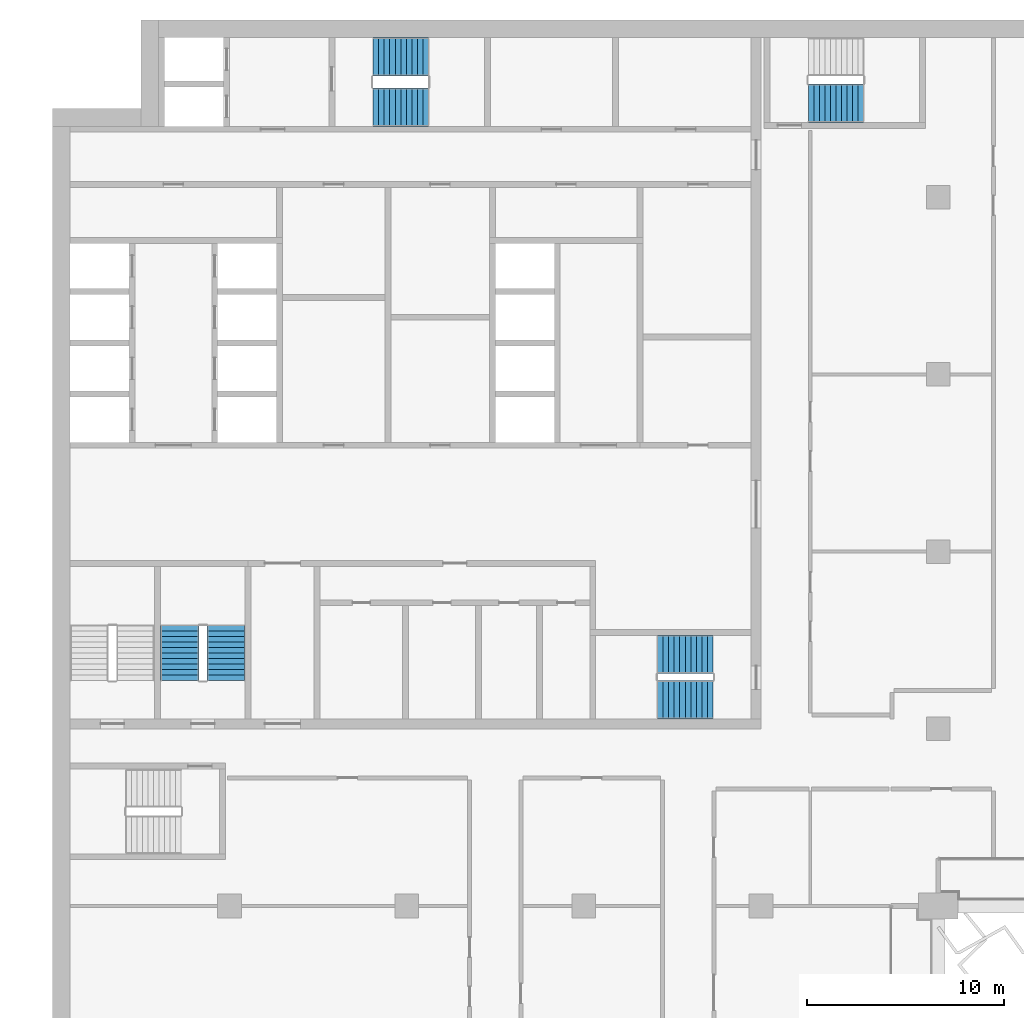
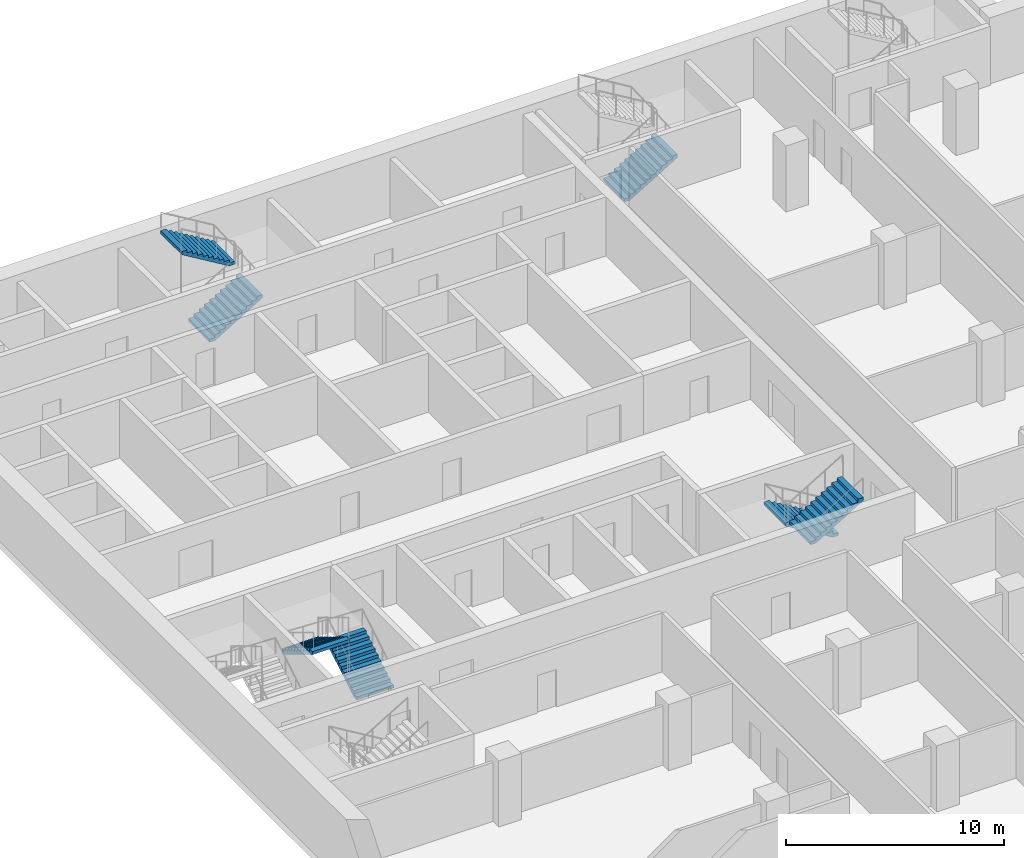
# One storey, part 17 of 23: 7 stair flights, 4 elements without a shape of their own.
"""IFC4 building model written with IfcOpenShell, lengths in metres."""

from ifc_helpers import new_model, si_unit, direction, frame, origin, place, context, subcontext, project, spatial, polyline, outline, extrude, material, type_object, element, aggregate, save


model = new_model("IFC4")

# Units and contexts
model_context = context("Model", 3, precision=1e-05, world=origin(), true_north=direction((0.0, 1.0)))
body_context = subcontext(model_context, "Body", "Model", "MODEL_VIEW")
ifc_project = project(units=[si_unit("LENGTHUNIT", "METRE"), si_unit("AREAUNIT", "SQUARE_METRE"), si_unit("VOLUMEUNIT", "CUBIC_METRE"), si_unit("PLANEANGLEUNIT", "RADIAN"), si_unit("MASSUNIT", "GRAM", prefix="KILO")], contexts=[model_context])

# Site, building, storey
site_placement = place(None, origin())
site = spatial("IfcSite", under=ifc_project, at=site_placement, CompositionType="ELEMENT")
building_placement = place(site_placement, origin())
building = spatial("IfcBuilding", under=site, at=building_placement, Name="Hunhe Ridgeline Campus", CompositionType="ELEMENT")
storey_placement = place(building_placement, frame((0.0, 0.0, 170.800048828125)))
storey = spatial("IfcBuildingStorey", under=building, at=storey_placement, Name="L43", CompositionType="ELEMENT", Elevation=170.800048828125)

# Stair, stair flights
ifc_material = material(Name="Concrete C40", Category="concrete")
stair_type = type_object("IfcStairType", Name="Reinforced concrete dog-leg stair 1950 Concrete C40", PredefinedType="HALF_TURN_STAIR", material=ifc_material)
stair_1_placement = place(storey_placement, origin())
stair_1 = element("IfcStair", 1, at=stair_1_placement, inside=storey, type_object=stair_type, Name="L43 S1", PredefinedType="HALF_TURN_STAIR")
stair_flight_type = type_object("IfcStairFlightType", Name="Reinforced concrete stair flight 1950 Concrete C40", PredefinedType="STRAIGHT", material=ifc_material)
stair_flight_1_placement = place(storey_placement, frame((16.300048828125, 94.574951171875, 0.0), z_axis=(0.0, 0.0, 1.0), x_axis=(1.0, 0.0, 0.0)))
stair_flight_1 = element("IfcStairFlight", 2, at=stair_flight_1_placement, type_object=stair_flight_type, Name="ST1 flight 1", NumberOfRisers=11, NumberOfTreads=10, PredefinedType="STRAIGHT", RiserHeight=0.168181818, TreadLength=0.28, context=body_context, shape_type="SweptSolid", body=[
    extrude(outline(polyline([(0.0, 0.0), (0.0, 0.168212890625), (0.280029296875, 0.168212890625), (0.280029296875, 0.33642578125), (0.56005859375, 0.33642578125), (0.56005859375, 0.504638671875), (0.840087890625, 0.504638671875), (0.840087890625, 0.672607421875), (1.1201171875, 0.672607421875), (1.1201171875, 0.8408203125), (1.39990234375, 0.8408203125), (1.39990234375, 1.009033203125), (1.679931640625, 1.009033203125), (1.679931640625, 1.17724609375), (1.9599609375, 1.17724609375), (1.9599609375, 1.345458984375), (2.239990234375, 1.345458984375), (2.239990234375, 1.513671875), (2.52001953125, 1.513671875), (2.52001953125, 1.681884765625), (2.800048828125, 1.681884765625), (2.800048828125, 1.85009765625), (2.800048828125, 1.5068359375), (0.291015625, 0.0), (0.0, 0.0)])), frame((0.0, 0.97509765625, 0.0), z_axis=(0.0, -1.0, 0.0), x_axis=(1.0, 0.0, 0.0)), (0.0, 0.0, 1.0), 1.949951171875),
    extrude(outline(polyline([(0.030029296875, 0.030029296875), (0.030029296875, 0.13818359375), (0.31005859375, 0.13818359375), (0.31005859375, 0.306396484375), (0.590087890625, 0.306396484375), (0.590087890625, 0.474609375), (0.8701171875, 0.474609375), (0.8701171875, 0.642578125), (1.14990234375, 0.642578125), (1.14990234375, 0.810791015625), (1.429931640625, 0.810791015625), (1.429931640625, 0.97900390625), (1.7099609375, 0.97900390625), (1.7099609375, 1.147216796875), (1.989990234375, 1.147216796875), (1.989990234375, 1.3154296875), (2.27001953125, 1.3154296875), (2.27001953125, 1.483642578125), (2.550048828125, 1.483642578125), (2.550048828125, 1.65185546875), (2.77001953125, 1.65185546875), (2.77001953125, 1.52392578125), (0.28271484375, 0.030029296875), (0.030029296875, 0.030029296875)])), frame((0.0, -0.070068359375, 0.0), z_axis=(0.0, -1.0, 0.0), x_axis=(1.0, 0.0, 0.0)), (0.0, 0.0, 1.0), 0.019775390625),
    extrude(outline(polyline([(0.030029296875, 0.030029296875), (0.030029296875, 0.13818359375), (0.31005859375, 0.13818359375), (0.31005859375, 0.306396484375), (0.590087890625, 0.306396484375), (0.590087890625, 0.474609375), (0.8701171875, 0.474609375), (0.8701171875, 0.642578125), (1.14990234375, 0.642578125), (1.14990234375, 0.810791015625), (1.429931640625, 0.810791015625), (1.429931640625, 0.97900390625), (1.7099609375, 0.97900390625), (1.7099609375, 1.147216796875), (1.989990234375, 1.147216796875), (1.989990234375, 1.3154296875), (2.27001953125, 1.3154296875), (2.27001953125, 1.483642578125), (2.550048828125, 1.483642578125), (2.550048828125, 1.65185546875), (2.77001953125, 1.65185546875), (2.77001953125, 1.52392578125), (0.28271484375, 0.030029296875), (0.030029296875, 0.030029296875)])), frame((0.0, 0.010009765625, 0.0), z_axis=(0.0, -1.0, 0.0), x_axis=(1.0, 0.0, 0.0)), (0.0, 0.0, 1.0), 0.019775390625),
    extrude(outline(polyline([(0.030029296875, 0.030029296875), (0.030029296875, 0.13818359375), (0.31005859375, 0.13818359375), (0.31005859375, 0.306396484375), (0.590087890625, 0.306396484375), (0.590087890625, 0.474609375), (0.8701171875, 0.474609375), (0.8701171875, 0.642578125), (1.14990234375, 0.642578125), (1.14990234375, 0.810791015625), (1.429931640625, 0.810791015625), (1.429931640625, 0.97900390625), (1.7099609375, 0.97900390625), (1.7099609375, 1.147216796875), (1.989990234375, 1.147216796875), (1.989990234375, 1.3154296875), (2.27001953125, 1.3154296875), (2.27001953125, 1.483642578125), (2.550048828125, 1.483642578125), (2.550048828125, 1.65185546875), (2.77001953125, 1.65185546875), (2.77001953125, 1.52392578125), (0.28271484375, 0.030029296875), (0.030029296875, 0.030029296875)])), frame((0.0, 0.090087890625, 0.0), z_axis=(0.0, -1.0, 0.0), x_axis=(1.0, 0.0, 0.0)), (0.0, 0.0, 1.0), 0.019775390625),
])
stair_flight_2_placement = place(storey_placement, frame((19.10009765625, 97.125, 1.849853515625), z_axis=(0.0, 0.0, 1.0), x_axis=(-1.0, 0.0, 0.0)))
stair_flight_2 = element("IfcStairFlight", 3, at=stair_flight_2_placement, type_object=stair_flight_type, Name="ST1 flight 2", NumberOfRisers=11, NumberOfTreads=10, PredefinedType="STRAIGHT", RiserHeight=0.168181818, TreadLength=0.28, context=body_context, shape_type="SweptSolid", body=[
    extrude(outline(polyline([(0.0, 0.0), (0.0, 0.168212890625), (0.280029296875, 0.168212890625), (0.280029296875, 0.33642578125), (0.56005859375, 0.33642578125), (0.56005859375, 0.504638671875), (0.840087890625, 0.504638671875), (0.840087890625, 0.672607421875), (1.1201171875, 0.672607421875), (1.1201171875, 0.8408203125), (1.39990234375, 0.8408203125), (1.39990234375, 1.009033203125), (1.679931640625, 1.009033203125), (1.679931640625, 1.17724609375), (1.9599609375, 1.17724609375), (1.9599609375, 1.345458984375), (2.239990234375, 1.345458984375), (2.239990234375, 1.513671875), (2.52001953125, 1.513671875), (2.52001953125, 1.681884765625), (2.800048828125, 1.681884765625), (2.800048828125, 1.85009765625), (2.800048828125, 1.5068359375), (0.291015625, 0.0), (0.0, 0.0)])), frame((0.0, 0.97509765625, 0.0), z_axis=(0.0, -1.0, 0.0), x_axis=(1.0, 0.0, 0.0)), (0.0, 0.0, 1.0), 1.949951171875),
    extrude(outline(polyline([(0.030029296875, 0.030029296875), (0.030029296875, 0.13818359375), (0.31005859375, 0.13818359375), (0.31005859375, 0.306396484375), (0.590087890625, 0.306396484375), (0.590087890625, 0.474609375), (0.8701171875, 0.474609375), (0.8701171875, 0.642578125), (1.14990234375, 0.642578125), (1.14990234375, 0.810791015625), (1.429931640625, 0.810791015625), (1.429931640625, 0.97900390625), (1.7099609375, 0.97900390625), (1.7099609375, 1.147216796875), (1.989990234375, 1.147216796875), (1.989990234375, 1.3154296875), (2.27001953125, 1.3154296875), (2.27001953125, 1.483642578125), (2.550048828125, 1.483642578125), (2.550048828125, 1.65185546875), (2.77001953125, 1.65185546875), (2.77001953125, 1.52392578125), (0.28271484375, 0.030029296875), (0.030029296875, 0.030029296875)])), frame((0.0, -0.070068359375, 0.0), z_axis=(0.0, -1.0, 0.0), x_axis=(1.0, 0.0, 0.0)), (0.0, 0.0, 1.0), 0.019775390625),
    extrude(outline(polyline([(0.030029296875, 0.030029296875), (0.030029296875, 0.13818359375), (0.31005859375, 0.13818359375), (0.31005859375, 0.306396484375), (0.590087890625, 0.306396484375), (0.590087890625, 0.474609375), (0.8701171875, 0.474609375), (0.8701171875, 0.642578125), (1.14990234375, 0.642578125), (1.14990234375, 0.810791015625), (1.429931640625, 0.810791015625), (1.429931640625, 0.97900390625), (1.7099609375, 0.97900390625), (1.7099609375, 1.147216796875), (1.989990234375, 1.147216796875), (1.989990234375, 1.3154296875), (2.27001953125, 1.3154296875), (2.27001953125, 1.483642578125), (2.550048828125, 1.483642578125), (2.550048828125, 1.65185546875), (2.77001953125, 1.65185546875), (2.77001953125, 1.52392578125), (0.28271484375, 0.030029296875), (0.030029296875, 0.030029296875)])), frame((0.0, 0.010009765625, 0.0), z_axis=(0.0, -1.0, 0.0), x_axis=(1.0, 0.0, 0.0)), (0.0, 0.0, 1.0), 0.019775390625),
    extrude(outline(polyline([(0.030029296875, 0.030029296875), (0.030029296875, 0.13818359375), (0.31005859375, 0.13818359375), (0.31005859375, 0.306396484375), (0.590087890625, 0.306396484375), (0.590087890625, 0.474609375), (0.8701171875, 0.474609375), (0.8701171875, 0.642578125), (1.14990234375, 0.642578125), (1.14990234375, 0.810791015625), (1.429931640625, 0.810791015625), (1.429931640625, 0.97900390625), (1.7099609375, 0.97900390625), (1.7099609375, 1.147216796875), (1.989990234375, 1.147216796875), (1.989990234375, 1.3154296875), (2.27001953125, 1.3154296875), (2.27001953125, 1.483642578125), (2.550048828125, 1.483642578125), (2.550048828125, 1.65185546875), (2.77001953125, 1.65185546875), (2.77001953125, 1.52392578125), (0.28271484375, 0.030029296875), (0.030029296875, 0.030029296875)])), frame((0.0, 0.090087890625, 0.0), z_axis=(0.0, -1.0, 0.0), x_axis=(1.0, 0.0, 0.0)), (0.0, 0.0, 1.0), 0.019775390625),
])
aggregate(stair_1, [stair_flight_1, stair_flight_2])

stair_2_placement = place(storey_placement, origin())
stair_2 = element("IfcStair", 4, at=stair_2_placement, inside=storey, type_object=stair_type, Name="L43 S2", PredefinedType="HALF_TURN_STAIR")
stair_flight_3_placement = place(storey_placement, frame((33.550048828125, 66.77490234375, 0.0), z_axis=(0.0, 0.0, 1.0), x_axis=(-1.0, 0.0, 0.0)))
stair_flight_3 = element("IfcStairFlight", 5, at=stair_flight_3_placement, type_object=stair_flight_type, Name="ST2 flight 1", NumberOfRisers=11, NumberOfTreads=10, PredefinedType="STRAIGHT", RiserHeight=0.168181818, TreadLength=0.28, context=body_context, shape_type="SweptSolid", body=[
    extrude(outline(polyline([(0.0, 0.0), (0.0, 0.168212890625), (0.280029296875, 0.168212890625), (0.280029296875, 0.33642578125), (0.56005859375, 0.33642578125), (0.56005859375, 0.504638671875), (0.840087890625, 0.504638671875), (0.840087890625, 0.672607421875), (1.1201171875, 0.672607421875), (1.1201171875, 0.8408203125), (1.39990234375, 0.8408203125), (1.39990234375, 1.009033203125), (1.679931640625, 1.009033203125), (1.679931640625, 1.17724609375), (1.9599609375, 1.17724609375), (1.9599609375, 1.345458984375), (2.239990234375, 1.345458984375), (2.239990234375, 1.513671875), (2.52001953125, 1.513671875), (2.52001953125, 1.681884765625), (2.800048828125, 1.681884765625), (2.800048828125, 1.85009765625), (2.800048828125, 1.5068359375), (0.291015625, 0.0), (0.0, 0.0)])), frame((0.0, 0.97509765625, 0.0), z_axis=(0.0, -1.0, 0.0), x_axis=(1.0, 0.0, 0.0)), (0.0, 0.0, 1.0), 1.949951171875),
    extrude(outline(polyline([(0.030029296875, 0.030029296875), (0.030029296875, 0.13818359375), (0.31005859375, 0.13818359375), (0.31005859375, 0.306396484375), (0.590087890625, 0.306396484375), (0.590087890625, 0.474609375), (0.8701171875, 0.474609375), (0.8701171875, 0.642578125), (1.14990234375, 0.642578125), (1.14990234375, 0.810791015625), (1.429931640625, 0.810791015625), (1.429931640625, 0.97900390625), (1.7099609375, 0.97900390625), (1.7099609375, 1.147216796875), (1.989990234375, 1.147216796875), (1.989990234375, 1.3154296875), (2.27001953125, 1.3154296875), (2.27001953125, 1.483642578125), (2.550048828125, 1.483642578125), (2.550048828125, 1.65185546875), (2.77001953125, 1.65185546875), (2.77001953125, 1.52392578125), (0.28271484375, 0.030029296875), (0.030029296875, 0.030029296875)])), frame((0.0, -0.070068359375, 0.0), z_axis=(0.0, -1.0, 0.0), x_axis=(1.0, 0.0, 0.0)), (0.0, 0.0, 1.0), 0.019775390625),
    extrude(outline(polyline([(0.030029296875, 0.030029296875), (0.030029296875, 0.13818359375), (0.31005859375, 0.13818359375), (0.31005859375, 0.306396484375), (0.590087890625, 0.306396484375), (0.590087890625, 0.474609375), (0.8701171875, 0.474609375), (0.8701171875, 0.642578125), (1.14990234375, 0.642578125), (1.14990234375, 0.810791015625), (1.429931640625, 0.810791015625), (1.429931640625, 0.97900390625), (1.7099609375, 0.97900390625), (1.7099609375, 1.147216796875), (1.989990234375, 1.147216796875), (1.989990234375, 1.3154296875), (2.27001953125, 1.3154296875), (2.27001953125, 1.483642578125), (2.550048828125, 1.483642578125), (2.550048828125, 1.65185546875), (2.77001953125, 1.65185546875), (2.77001953125, 1.52392578125), (0.28271484375, 0.030029296875), (0.030029296875, 0.030029296875)])), frame((0.0, 0.010009765625, 0.0), z_axis=(0.0, -1.0, 0.0), x_axis=(1.0, 0.0, 0.0)), (0.0, 0.0, 1.0), 0.019775390625),
    extrude(outline(polyline([(0.030029296875, 0.030029296875), (0.030029296875, 0.13818359375), (0.31005859375, 0.13818359375), (0.31005859375, 0.306396484375), (0.590087890625, 0.306396484375), (0.590087890625, 0.474609375), (0.8701171875, 0.474609375), (0.8701171875, 0.642578125), (1.14990234375, 0.642578125), (1.14990234375, 0.810791015625), (1.429931640625, 0.810791015625), (1.429931640625, 0.97900390625), (1.7099609375, 0.97900390625), (1.7099609375, 1.147216796875), (1.989990234375, 1.147216796875), (1.989990234375, 1.3154296875), (2.27001953125, 1.3154296875), (2.27001953125, 1.483642578125), (2.550048828125, 1.483642578125), (2.550048828125, 1.65185546875), (2.77001953125, 1.65185546875), (2.77001953125, 1.52392578125), (0.28271484375, 0.030029296875), (0.030029296875, 0.030029296875)])), frame((0.0, 0.090087890625, 0.0), z_axis=(0.0, -1.0, 0.0), x_axis=(1.0, 0.0, 0.0)), (0.0, 0.0, 1.0), 0.019775390625),
])
stair_flight_4_placement = place(storey_placement, frame((30.75, 64.47509765625, 1.849853515625), z_axis=(0.0, 0.0, 1.0), x_axis=(1.0, 0.0, 0.0)))
stair_flight_4 = element("IfcStairFlight", 6, at=stair_flight_4_placement, type_object=stair_flight_type, Name="ST2 flight 2", NumberOfRisers=11, NumberOfTreads=10, PredefinedType="STRAIGHT", RiserHeight=0.168181818, TreadLength=0.28, context=body_context, shape_type="SweptSolid", body=[
    extrude(outline(polyline([(0.0, 0.0), (0.0, 0.168212890625), (0.280029296875, 0.168212890625), (0.280029296875, 0.33642578125), (0.56005859375, 0.33642578125), (0.56005859375, 0.504638671875), (0.840087890625, 0.504638671875), (0.840087890625, 0.672607421875), (1.1201171875, 0.672607421875), (1.1201171875, 0.8408203125), (1.39990234375, 0.8408203125), (1.39990234375, 1.009033203125), (1.679931640625, 1.009033203125), (1.679931640625, 1.17724609375), (1.9599609375, 1.17724609375), (1.9599609375, 1.345458984375), (2.239990234375, 1.345458984375), (2.239990234375, 1.513671875), (2.52001953125, 1.513671875), (2.52001953125, 1.681884765625), (2.800048828125, 1.681884765625), (2.800048828125, 1.85009765625), (2.800048828125, 1.5068359375), (0.291015625, 0.0), (0.0, 0.0)])), frame((0.0, 0.97509765625, 0.0), z_axis=(0.0, -1.0, 0.0), x_axis=(1.0, 0.0, 0.0)), (0.0, 0.0, 1.0), 1.949951171875),
    extrude(outline(polyline([(0.030029296875, 0.030029296875), (0.030029296875, 0.13818359375), (0.31005859375, 0.13818359375), (0.31005859375, 0.306396484375), (0.590087890625, 0.306396484375), (0.590087890625, 0.474609375), (0.8701171875, 0.474609375), (0.8701171875, 0.642578125), (1.14990234375, 0.642578125), (1.14990234375, 0.810791015625), (1.429931640625, 0.810791015625), (1.429931640625, 0.97900390625), (1.7099609375, 0.97900390625), (1.7099609375, 1.147216796875), (1.989990234375, 1.147216796875), (1.989990234375, 1.3154296875), (2.27001953125, 1.3154296875), (2.27001953125, 1.483642578125), (2.550048828125, 1.483642578125), (2.550048828125, 1.65185546875), (2.77001953125, 1.65185546875), (2.77001953125, 1.52392578125), (0.28271484375, 0.030029296875), (0.030029296875, 0.030029296875)])), frame((0.0, -0.070068359375, 0.0), z_axis=(0.0, -1.0, 0.0), x_axis=(1.0, 0.0, 0.0)), (0.0, 0.0, 1.0), 0.019775390625),
    extrude(outline(polyline([(0.030029296875, 0.030029296875), (0.030029296875, 0.13818359375), (0.31005859375, 0.13818359375), (0.31005859375, 0.306396484375), (0.590087890625, 0.306396484375), (0.590087890625, 0.474609375), (0.8701171875, 0.474609375), (0.8701171875, 0.642578125), (1.14990234375, 0.642578125), (1.14990234375, 0.810791015625), (1.429931640625, 0.810791015625), (1.429931640625, 0.97900390625), (1.7099609375, 0.97900390625), (1.7099609375, 1.147216796875), (1.989990234375, 1.147216796875), (1.989990234375, 1.3154296875), (2.27001953125, 1.3154296875), (2.27001953125, 1.483642578125), (2.550048828125, 1.483642578125), (2.550048828125, 1.65185546875), (2.77001953125, 1.65185546875), (2.77001953125, 1.52392578125), (0.28271484375, 0.030029296875), (0.030029296875, 0.030029296875)])), frame((0.0, 0.010009765625, 0.0), z_axis=(0.0, -1.0, 0.0), x_axis=(1.0, 0.0, 0.0)), (0.0, 0.0, 1.0), 0.019775390625),
    extrude(outline(polyline([(0.030029296875, 0.030029296875), (0.030029296875, 0.13818359375), (0.31005859375, 0.13818359375), (0.31005859375, 0.306396484375), (0.590087890625, 0.306396484375), (0.590087890625, 0.474609375), (0.8701171875, 0.474609375), (0.8701171875, 0.642578125), (1.14990234375, 0.642578125), (1.14990234375, 0.810791015625), (1.429931640625, 0.810791015625), (1.429931640625, 0.97900390625), (1.7099609375, 0.97900390625), (1.7099609375, 1.147216796875), (1.989990234375, 1.147216796875), (1.989990234375, 1.3154296875), (2.27001953125, 1.3154296875), (2.27001953125, 1.483642578125), (2.550048828125, 1.483642578125), (2.550048828125, 1.65185546875), (2.77001953125, 1.65185546875), (2.77001953125, 1.52392578125), (0.28271484375, 0.030029296875), (0.030029296875, 0.030029296875)])), frame((0.0, 0.090087890625, 0.0), z_axis=(0.0, -1.0, 0.0), x_axis=(1.0, 0.0, 0.0)), (0.0, 0.0, 1.0), 0.019775390625),
])
aggregate(stair_2, [stair_flight_3, stair_flight_4])

stair_3_placement = place(storey_placement, origin())
stair_3 = element("IfcStair", 7, at=stair_3_placement, inside=storey, type_object=stair_type, Name="L43 S4", PredefinedType="HALF_TURN_STAIR")
stair_flight_5_placement = place(storey_placement, frame((8.824951171875, 65.449951171875, 0.0), z_axis=(0.0, 0.0, 1.0), x_axis=(0.0, 1.0, 0.0)))
stair_flight_5 = element("IfcStairFlight", 8, at=stair_flight_5_placement, type_object=stair_flight_type, Name="ST4 flight 1", NumberOfRisers=11, NumberOfTreads=10, PredefinedType="STRAIGHT", RiserHeight=0.168181818, TreadLength=0.28, context=body_context, shape_type="SweptSolid", body=[
    extrude(outline(polyline([(0.0, 0.0), (0.0, 0.168212890625), (0.280029296875, 0.168212890625), (0.280029296875, 0.33642578125), (0.56005859375, 0.33642578125), (0.56005859375, 0.504638671875), (0.840087890625, 0.504638671875), (0.840087890625, 0.672607421875), (1.1201171875, 0.672607421875), (1.1201171875, 0.8408203125), (1.39990234375, 0.8408203125), (1.39990234375, 1.009033203125), (1.679931640625, 1.009033203125), (1.679931640625, 1.17724609375), (1.9599609375, 1.17724609375), (1.9599609375, 1.345458984375), (2.239990234375, 1.345458984375), (2.239990234375, 1.513671875), (2.52001953125, 1.513671875), (2.52001953125, 1.681884765625), (2.800048828125, 1.681884765625), (2.800048828125, 1.85009765625), (2.800048828125, 1.5068359375), (0.291015625, 0.0), (0.0, 0.0)])), frame((0.0, 0.97509765625, 0.0), z_axis=(0.0, -1.0, 0.0), x_axis=(1.0, 0.0, 0.0)), (0.0, 0.0, 1.0), 1.949951171875),
    extrude(outline(polyline([(0.030029296875, 0.030029296875), (0.030029296875, 0.13818359375), (0.31005859375, 0.13818359375), (0.31005859375, 0.306396484375), (0.590087890625, 0.306396484375), (0.590087890625, 0.474609375), (0.8701171875, 0.474609375), (0.8701171875, 0.642578125), (1.14990234375, 0.642578125), (1.14990234375, 0.810791015625), (1.429931640625, 0.810791015625), (1.429931640625, 0.97900390625), (1.7099609375, 0.97900390625), (1.7099609375, 1.147216796875), (1.989990234375, 1.147216796875), (1.989990234375, 1.3154296875), (2.27001953125, 1.3154296875), (2.27001953125, 1.483642578125), (2.550048828125, 1.483642578125), (2.550048828125, 1.65185546875), (2.77001953125, 1.65185546875), (2.77001953125, 1.52392578125), (0.28271484375, 0.030029296875), (0.030029296875, 0.030029296875)])), frame((0.0, -0.070068359375, 0.0), z_axis=(0.0, -1.0, 0.0), x_axis=(1.0, 0.0, 0.0)), (0.0, 0.0, 1.0), 0.019775390625),
    extrude(outline(polyline([(0.030029296875, 0.030029296875), (0.030029296875, 0.13818359375), (0.31005859375, 0.13818359375), (0.31005859375, 0.306396484375), (0.590087890625, 0.306396484375), (0.590087890625, 0.474609375), (0.8701171875, 0.474609375), (0.8701171875, 0.642578125), (1.14990234375, 0.642578125), (1.14990234375, 0.810791015625), (1.429931640625, 0.810791015625), (1.429931640625, 0.97900390625), (1.7099609375, 0.97900390625), (1.7099609375, 1.147216796875), (1.989990234375, 1.147216796875), (1.989990234375, 1.3154296875), (2.27001953125, 1.3154296875), (2.27001953125, 1.483642578125), (2.550048828125, 1.483642578125), (2.550048828125, 1.65185546875), (2.77001953125, 1.65185546875), (2.77001953125, 1.52392578125), (0.28271484375, 0.030029296875), (0.030029296875, 0.030029296875)])), frame((0.0, 0.010009765625, 0.0), z_axis=(0.0, -1.0, 0.0), x_axis=(1.0, 0.0, 0.0)), (0.0, 0.0, 1.0), 0.019775390625),
    extrude(outline(polyline([(0.030029296875, 0.030029296875), (0.030029296875, 0.13818359375), (0.31005859375, 0.13818359375), (0.31005859375, 0.306396484375), (0.590087890625, 0.306396484375), (0.590087890625, 0.474609375), (0.8701171875, 0.474609375), (0.8701171875, 0.642578125), (1.14990234375, 0.642578125), (1.14990234375, 0.810791015625), (1.429931640625, 0.810791015625), (1.429931640625, 0.97900390625), (1.7099609375, 0.97900390625), (1.7099609375, 1.147216796875), (1.989990234375, 1.147216796875), (1.989990234375, 1.3154296875), (2.27001953125, 1.3154296875), (2.27001953125, 1.483642578125), (2.550048828125, 1.483642578125), (2.550048828125, 1.65185546875), (2.77001953125, 1.65185546875), (2.77001953125, 1.52392578125), (0.28271484375, 0.030029296875), (0.030029296875, 0.030029296875)])), frame((0.0, 0.090087890625, 0.0), z_axis=(0.0, -1.0, 0.0), x_axis=(1.0, 0.0, 0.0)), (0.0, 0.0, 1.0), 0.019775390625),
])
stair_flight_6_placement = place(storey_placement, frame((6.47509765625, 68.25, 1.849853515625), z_axis=(0.0, 0.0, 1.0), x_axis=(0.0, -1.0, 0.0)))
stair_flight_6 = element("IfcStairFlight", 9, at=stair_flight_6_placement, type_object=stair_flight_type, Name="ST4 flight 2", NumberOfRisers=11, NumberOfTreads=10, PredefinedType="STRAIGHT", RiserHeight=0.168181818, TreadLength=0.28, context=body_context, shape_type="SweptSolid", body=[
    extrude(outline(polyline([(0.0, 0.0), (0.0, 0.168212890625), (0.280029296875, 0.168212890625), (0.280029296875, 0.33642578125), (0.56005859375, 0.33642578125), (0.56005859375, 0.504638671875), (0.840087890625, 0.504638671875), (0.840087890625, 0.672607421875), (1.1201171875, 0.672607421875), (1.1201171875, 0.8408203125), (1.39990234375, 0.8408203125), (1.39990234375, 1.009033203125), (1.679931640625, 1.009033203125), (1.679931640625, 1.17724609375), (1.9599609375, 1.17724609375), (1.9599609375, 1.345458984375), (2.239990234375, 1.345458984375), (2.239990234375, 1.513671875), (2.52001953125, 1.513671875), (2.52001953125, 1.681884765625), (2.800048828125, 1.681884765625), (2.800048828125, 1.85009765625), (2.800048828125, 1.5068359375), (0.291015625, 0.0), (0.0, 0.0)])), frame((0.0, 0.97509765625, 0.0), z_axis=(0.0, -1.0, 0.0), x_axis=(1.0, 0.0, 0.0)), (0.0, 0.0, 1.0), 1.949951171875),
    extrude(outline(polyline([(0.030029296875, 0.030029296875), (0.030029296875, 0.13818359375), (0.31005859375, 0.13818359375), (0.31005859375, 0.306396484375), (0.590087890625, 0.306396484375), (0.590087890625, 0.474609375), (0.8701171875, 0.474609375), (0.8701171875, 0.642578125), (1.14990234375, 0.642578125), (1.14990234375, 0.810791015625), (1.429931640625, 0.810791015625), (1.429931640625, 0.97900390625), (1.7099609375, 0.97900390625), (1.7099609375, 1.147216796875), (1.989990234375, 1.147216796875), (1.989990234375, 1.3154296875), (2.27001953125, 1.3154296875), (2.27001953125, 1.483642578125), (2.550048828125, 1.483642578125), (2.550048828125, 1.65185546875), (2.77001953125, 1.65185546875), (2.77001953125, 1.52392578125), (0.28271484375, 0.030029296875), (0.030029296875, 0.030029296875)])), frame((0.0, -0.070068359375, 0.0), z_axis=(0.0, -1.0, 0.0), x_axis=(1.0, 0.0, 0.0)), (0.0, 0.0, 1.0), 0.019775390625),
    extrude(outline(polyline([(0.030029296875, 0.030029296875), (0.030029296875, 0.13818359375), (0.31005859375, 0.13818359375), (0.31005859375, 0.306396484375), (0.590087890625, 0.306396484375), (0.590087890625, 0.474609375), (0.8701171875, 0.474609375), (0.8701171875, 0.642578125), (1.14990234375, 0.642578125), (1.14990234375, 0.810791015625), (1.429931640625, 0.810791015625), (1.429931640625, 0.97900390625), (1.7099609375, 0.97900390625), (1.7099609375, 1.147216796875), (1.989990234375, 1.147216796875), (1.989990234375, 1.3154296875), (2.27001953125, 1.3154296875), (2.27001953125, 1.483642578125), (2.550048828125, 1.483642578125), (2.550048828125, 1.65185546875), (2.77001953125, 1.65185546875), (2.77001953125, 1.52392578125), (0.28271484375, 0.030029296875), (0.030029296875, 0.030029296875)])), frame((0.0, 0.010009765625, 0.0), z_axis=(0.0, -1.0, 0.0), x_axis=(1.0, 0.0, 0.0)), (0.0, 0.0, 1.0), 0.019775390625),
    extrude(outline(polyline([(0.030029296875, 0.030029296875), (0.030029296875, 0.13818359375), (0.31005859375, 0.13818359375), (0.31005859375, 0.306396484375), (0.590087890625, 0.306396484375), (0.590087890625, 0.474609375), (0.8701171875, 0.474609375), (0.8701171875, 0.642578125), (1.14990234375, 0.642578125), (1.14990234375, 0.810791015625), (1.429931640625, 0.810791015625), (1.429931640625, 0.97900390625), (1.7099609375, 0.97900390625), (1.7099609375, 1.147216796875), (1.989990234375, 1.147216796875), (1.989990234375, 1.3154296875), (2.27001953125, 1.3154296875), (2.27001953125, 1.483642578125), (2.550048828125, 1.483642578125), (2.550048828125, 1.65185546875), (2.77001953125, 1.65185546875), (2.77001953125, 1.52392578125), (0.28271484375, 0.030029296875), (0.030029296875, 0.030029296875)])), frame((0.0, 0.090087890625, 0.0), z_axis=(0.0, -1.0, 0.0), x_axis=(1.0, 0.0, 0.0)), (0.0, 0.0, 1.0), 0.019775390625),
])
aggregate(stair_3, [stair_flight_5, stair_flight_6])

# Stair, stair flight
stair_4_placement = place(storey_placement, origin())
stair_4 = element("IfcStair", 10, at=stair_4_placement, inside=storey, type_object=stair_type, Name="L43 E1", PredefinedType="HALF_TURN_STAIR")
stair_flight_7_placement = place(storey_placement, frame((38.39990234375, 94.77490234375, 0.0), z_axis=(0.0, 0.0, 1.0), x_axis=(1.0, 0.0, 0.0)))
stair_flight_7 = element("IfcStairFlight", 11, at=stair_flight_7_placement, type_object=stair_flight_type, Name="ST5 flight 1", NumberOfRisers=11, NumberOfTreads=10, PredefinedType="STRAIGHT", RiserHeight=0.168181818, TreadLength=0.28, context=body_context, shape_type="SweptSolid", body=[
    extrude(outline(polyline([(0.0, 0.0), (0.0, 0.168212890625), (0.280029296875, 0.168212890625), (0.280029296875, 0.33642578125), (0.56005859375, 0.33642578125), (0.56005859375, 0.504638671875), (0.840087890625, 0.504638671875), (0.840087890625, 0.672607421875), (1.1201171875, 0.672607421875), (1.1201171875, 0.8408203125), (1.39990234375, 0.8408203125), (1.39990234375, 1.009033203125), (1.679931640625, 1.009033203125), (1.679931640625, 1.17724609375), (1.9599609375, 1.17724609375), (1.9599609375, 1.345458984375), (2.239990234375, 1.345458984375), (2.239990234375, 1.513671875), (2.52001953125, 1.513671875), (2.52001953125, 1.681884765625), (2.800048828125, 1.681884765625), (2.800048828125, 1.85009765625), (2.800048828125, 1.5068359375), (0.291015625, 0.0), (0.0, 0.0)])), frame((0.0, 0.97509765625, 0.0), z_axis=(0.0, -1.0, 0.0), x_axis=(1.0, 0.0, 0.0)), (0.0, 0.0, 1.0), 1.949951171875),
    extrude(outline(polyline([(0.030029296875, 0.030029296875), (0.030029296875, 0.13818359375), (0.31005859375, 0.13818359375), (0.31005859375, 0.306396484375), (0.590087890625, 0.306396484375), (0.590087890625, 0.474609375), (0.8701171875, 0.474609375), (0.8701171875, 0.642578125), (1.14990234375, 0.642578125), (1.14990234375, 0.810791015625), (1.429931640625, 0.810791015625), (1.429931640625, 0.97900390625), (1.7099609375, 0.97900390625), (1.7099609375, 1.147216796875), (1.989990234375, 1.147216796875), (1.989990234375, 1.3154296875), (2.27001953125, 1.3154296875), (2.27001953125, 1.483642578125), (2.550048828125, 1.483642578125), (2.550048828125, 1.65185546875), (2.77001953125, 1.65185546875), (2.77001953125, 1.52392578125), (0.28271484375, 0.030029296875), (0.030029296875, 0.030029296875)])), frame((0.0, -0.070068359375, 0.0), z_axis=(0.0, -1.0, 0.0), x_axis=(1.0, 0.0, 0.0)), (0.0, 0.0, 1.0), 0.019775390625),
    extrude(outline(polyline([(0.030029296875, 0.030029296875), (0.030029296875, 0.13818359375), (0.31005859375, 0.13818359375), (0.31005859375, 0.306396484375), (0.590087890625, 0.306396484375), (0.590087890625, 0.474609375), (0.8701171875, 0.474609375), (0.8701171875, 0.642578125), (1.14990234375, 0.642578125), (1.14990234375, 0.810791015625), (1.429931640625, 0.810791015625), (1.429931640625, 0.97900390625), (1.7099609375, 0.97900390625), (1.7099609375, 1.147216796875), (1.989990234375, 1.147216796875), (1.989990234375, 1.3154296875), (2.27001953125, 1.3154296875), (2.27001953125, 1.483642578125), (2.550048828125, 1.483642578125), (2.550048828125, 1.65185546875), (2.77001953125, 1.65185546875), (2.77001953125, 1.52392578125), (0.28271484375, 0.030029296875), (0.030029296875, 0.030029296875)])), frame((0.0, 0.010009765625, 0.0), z_axis=(0.0, -1.0, 0.0), x_axis=(1.0, 0.0, 0.0)), (0.0, 0.0, 1.0), 0.019775390625),
    extrude(outline(polyline([(0.030029296875, 0.030029296875), (0.030029296875, 0.13818359375), (0.31005859375, 0.13818359375), (0.31005859375, 0.306396484375), (0.590087890625, 0.306396484375), (0.590087890625, 0.474609375), (0.8701171875, 0.474609375), (0.8701171875, 0.642578125), (1.14990234375, 0.642578125), (1.14990234375, 0.810791015625), (1.429931640625, 0.810791015625), (1.429931640625, 0.97900390625), (1.7099609375, 0.97900390625), (1.7099609375, 1.147216796875), (1.989990234375, 1.147216796875), (1.989990234375, 1.3154296875), (2.27001953125, 1.3154296875), (2.27001953125, 1.483642578125), (2.550048828125, 1.483642578125), (2.550048828125, 1.65185546875), (2.77001953125, 1.65185546875), (2.77001953125, 1.52392578125), (0.28271484375, 0.030029296875), (0.030029296875, 0.030029296875)])), frame((0.0, 0.090087890625, 0.0), z_axis=(0.0, -1.0, 0.0), x_axis=(1.0, 0.0, 0.0)), (0.0, 0.0, 1.0), 0.019775390625),
])
aggregate(stair_4, [stair_flight_7])

save(model, "model.ifc")
